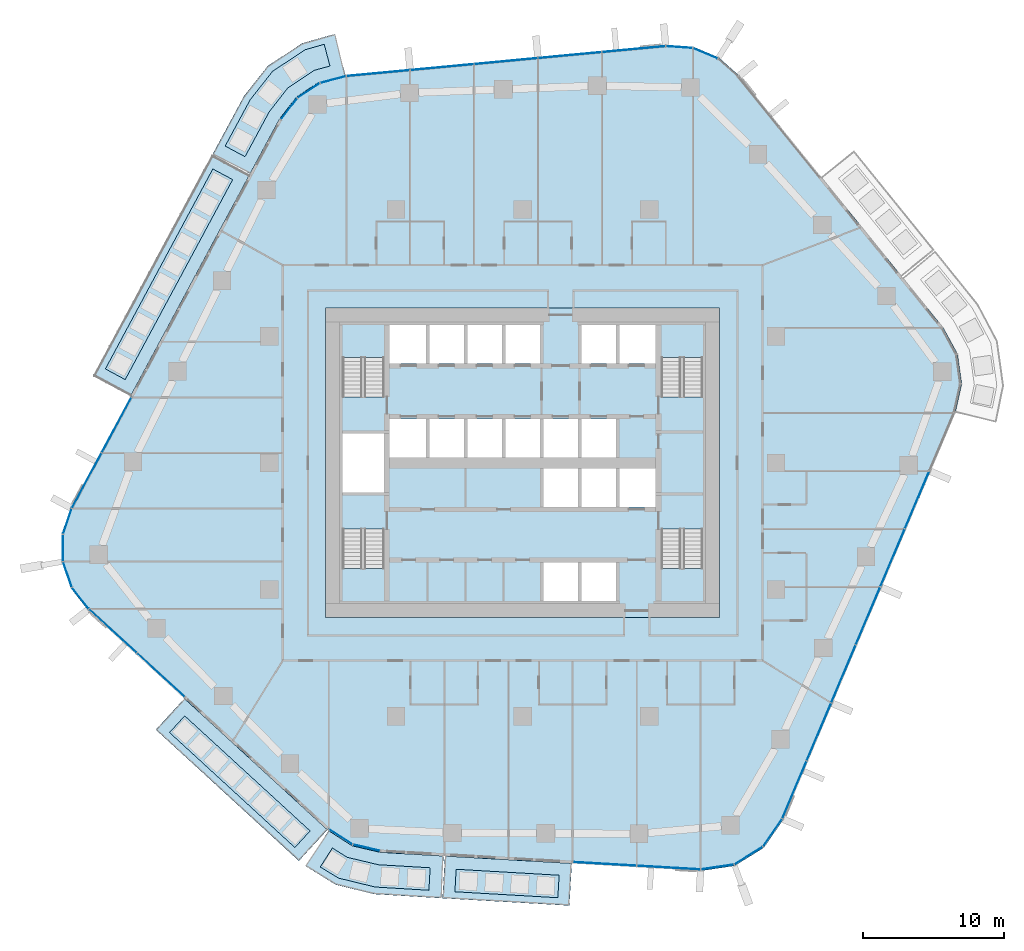
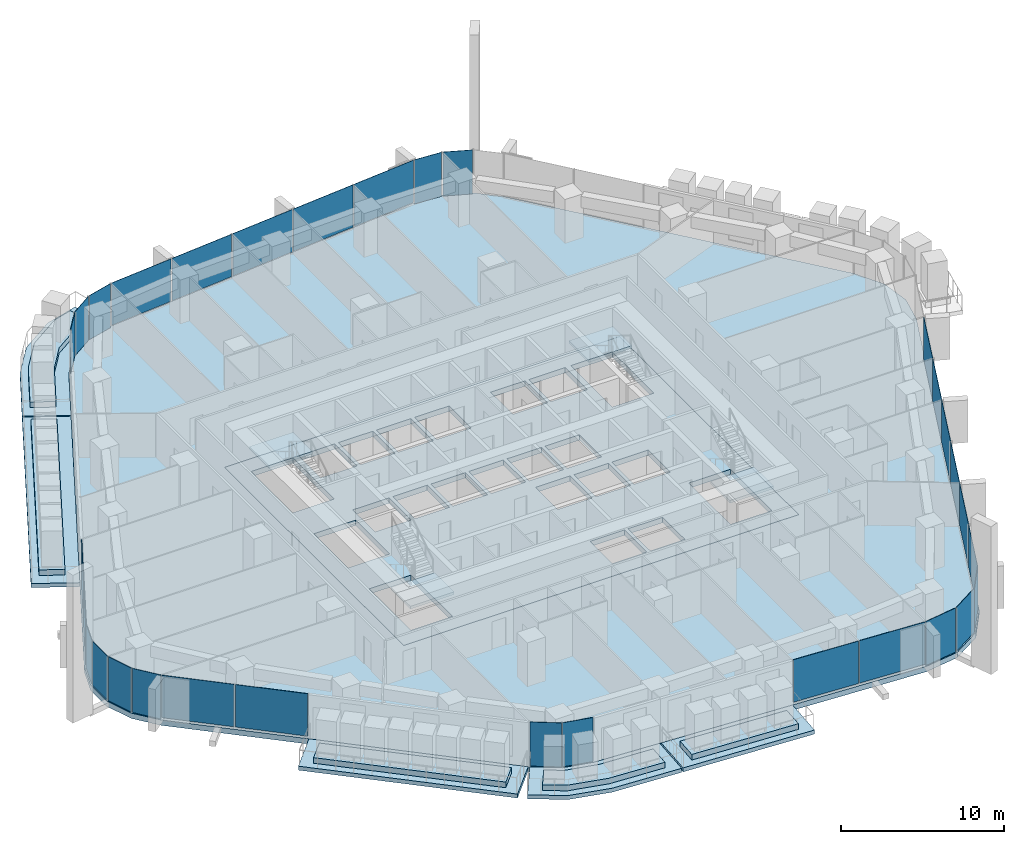
# One storey, part 10 of 24: 31 plates, 16 slabs, 14 elements without a shape of their own.
"""IFC4 building model written with IfcOpenShell, lengths in metres."""

from ifc_helpers import new_model, si_unit, direction, frame, origin, origin_2d, place, context, subcontext, project, spatial, polyline, rectangle, outline, extrude, material, layer, layer_set, type_object, element, aggregate, save


model = new_model("IFC4")

# Units and contexts
model_context = context("Model", 3, precision=1e-05, world=origin(), true_north=direction((0.0, 1.0)))
body_context = subcontext(model_context, "Body", "Model", "MODEL_VIEW")
ifc_project = project(units=[si_unit("LENGTHUNIT", "METRE"), si_unit("AREAUNIT", "SQUARE_METRE"), si_unit("VOLUMEUNIT", "CUBIC_METRE"), si_unit("PLANEANGLEUNIT", "RADIAN"), si_unit("MASSUNIT", "GRAM", prefix="KILO")], contexts=[model_context])

# Site, building, storey
site_placement = place(None, origin())
site = spatial("IfcSite", under=ifc_project, at=site_placement, CompositionType="ELEMENT")
building_placement = place(site_placement, origin())
building = spatial("IfcBuilding", under=site, at=building_placement, Name="Dongbaek Canopy Tower", CompositionType="ELEMENT")
storey_placement = place(building_placement, frame((0.0, 0.0, 117.39990234375)))
storey = spatial("IfcBuildingStorey", under=building, at=storey_placement, Name="L25", CompositionType="ELEMENT", Elevation=117.39990234375)

# Slabs
ifc_material_1 = material(Name="Concrete C40/50", Category="concrete")
ifc_layer_1 = layer(ifc_material_1, 0.300048828125)
ifc_layer_set_1 = layer_set([ifc_layer_1], Name="Balcony slab 300")
slab_type_1 = type_object("IfcSlabType", Name="Balcony slab 300", PredefinedType="FLOOR", material=ifc_layer_set_1)
slab_1_placement = place(storey_placement, frame((0.0, 0.0, -0.2998046875)))
element("IfcSlab", 1, at=slab_1_placement, inside=storey, type_object=slab_type_1, Name="Balcony L25 2", PredefinedType="FLOOR", context=body_context, shape_type="SweptSolid", body=[
    extrude(outline(polyline([(-19.41796875, 20.454833984375), (-27.858154296875, 4.7509765625), (-30.500732421875, 6.171142578125), (-22.060546875, 21.875), (-19.41796875, 20.454833984375)])), origin(), (0.0, 0.0, 1.0), 0.2998046875),
])
slab_2_placement = place(storey_placement, frame((0.0, 0.0, -0.2998046875)))
element("IfcSlab", 2, at=slab_2_placement, inside=storey, type_object=slab_type_1, Name="Balcony L25 6", PredefinedType="FLOOR", context=body_context, shape_type="SweptSolid", body=[
    extrude(outline(polyline([(-12.59619140625, 27.5673828125), (-14.442626953125, 27.0810546875), (-16.07568359375, 25.998046875), (-17.2724609375, 24.44677734375), (-19.370849609375, 20.54296875), (-22.01318359375, 21.963134765625), (-19.789794921875, 26.078857421875), (-18.11962890625, 28.194091796875), (-15.670166015625, 29.818359375), (-13.3603515625, 30.468505859375), (-12.59619140625, 27.5673828125)])), origin(), (0.0, 0.0, 1.0), 0.2998046875),
])
slab_3_placement = place(storey_placement, frame((0.0, 0.0, -0.2998046875)))
element("IfcSlab", 3, at=slab_3_placement, inside=storey, type_object=slab_type_1, Name="Balcony L25 3", PredefinedType="FLOOR", context=body_context, shape_type="SweptSolid", body=[
    extrude(outline(polyline([(-24.036376953125, -16.743896484375), (-13.875244140625, -26.064697265625), (-15.903076171875, -28.275390625), (-26.064208984375, -18.95458984375), (-24.036376953125, -16.743896484375)])), origin(), (0.0, 0.0, 1.0), 0.2998046875),
])
slab_4_placement = place(storey_placement, frame((0.0, 0.0, -0.2998046875)))
element("IfcSlab", 4, at=slab_4_placement, inside=storey, type_object=slab_type_1, Name="Balcony L25 4", PredefinedType="FLOOR", context=body_context, shape_type="SweptSolid", body=[
    extrude(outline(polyline([(-5.52294921875, -27.933349609375), (3.489501953125, -28.45458984375), (3.316162109375, -31.44970703125), (-5.6962890625, -30.92822265625), (-5.52294921875, -27.933349609375)])), origin(), (0.0, 0.0, 1.0), 0.2998046875),
])
slab_5_placement = place(storey_placement, frame((0.0, 0.0, -0.2998046875)))
element("IfcSlab", 5, at=slab_5_placement, inside=storey, type_object=slab_type_1, Name="Balcony L25 7", PredefinedType="FLOOR", context=body_context, shape_type="SweptSolid", body=[
    extrude(outline(polyline([(-13.79638671875, -26.12548828125), (-12.119140625, -27.203125), (-10.12890625, -27.666748046875), (-5.622802734375, -27.927490234375), (-5.796142578125, -30.922607421875), (-10.5576171875, -30.635986328125), (-13.28759765625, -29.96630859375), (-15.418212890625, -28.649169921875), (-13.79638671875, -26.12548828125)])), origin(), (0.0, 0.0, 1.0), 0.2998046875),
])

# Curtain wall, plates
ifc_material_2 = material(Name="Aluminium 6063-T6 pale anodised", Category="aluminium")
ifc_layer_2 = layer(ifc_material_2, 0.199951171875)
ifc_layer_set_2 = layer_set([ifc_layer_2], Name="CW-1 unitised tower curtain wall")
curtain_wall_type = type_object("IfcCurtainWallType", Name="CW-1 unitised tower curtain wall", PredefinedType="NOTDEFINED", material=ifc_layer_set_2)
curtain_wall_1_placement = place(storey_placement, origin())
curtain_wall_1 = element("IfcCurtainWall", 6, at=curtain_wall_1_placement, inside=storey, type_object=curtain_wall_type, Name="CW-1 curtain wall K1.1", PredefinedType="NOTDEFINED")
ifc_material_3 = material(Name="Clear laminated glass", Category="glass")
ifc_layer_3 = layer(ifc_material_3, 0.028076171875)
ifc_layer_set_3 = layer_set([ifc_layer_3], Name="CW-1 glazed panel 28")
plate_type = type_object("IfcPlateType", Name="CW-1 glazed panel 28", PredefinedType="CURTAIN_PANEL", material=ifc_layer_set_3)
plate_1_placement = place(storey_placement, frame((12.978759765625, 29.1005859375, 0.0), z_axis=(0.0, 0.0, 1.0), x_axis=(-0.921720182996, 0.387855519823, 0.0)))
plate_1 = element("IfcPlate", 7, at=plate_1_placement, type_object=plate_type, Name="CW-1 panel K1.1.2.1", PredefinedType="CURTAIN_PANEL", context=body_context, shape_type="SweptSolid", body=[
    extrude(rectangle(XDim=1.841552734375, YDim=0.028076171875, at=origin_2d()), origin(), (0.0, 0.0, 1.0), 3.300048828125),
])
plate_2_placement = place(storey_placement, frame((11.126708984375, 29.542236328125, 0.0), z_axis=(0.0, 0.0, 1.0), x_axis=(-0.997522108794, 0.070353695471, 0.0)))
plate_2 = element("IfcPlate", 8, at=plate_2_placement, type_object=plate_type, Name="CW-1 panel K1.1.3.1", PredefinedType="CURTAIN_PANEL", context=body_context, shape_type="SweptSolid", body=[
    extrude(rectangle(XDim=1.849853515625, YDim=0.028076171875, at=origin_2d()), origin(), (0.0, 0.0, 1.0), 3.300048828125),
])
aggregate(curtain_wall_1, [plate_1, plate_2])

curtain_wall_2_placement = place(storey_placement, origin())
curtain_wall_2 = element("IfcCurtainWall", 9, at=curtain_wall_2_placement, inside=storey, type_object=curtain_wall_type, Name="CW-1 curtain wall F1.1", PredefinedType="NOTDEFINED")
plate_3_placement = place(storey_placement, frame((7.8955078125, 29.3974609375, 0.1201171875), z_axis=(0.0, 0.0, 1.0), x_axis=(-0.995628871634, -0.093397804951, 0.0)))
plate_3 = element("IfcPlate", 10, at=plate_3_placement, type_object=plate_type, Name="CW-1 panel F1.1.1.1", PredefinedType="CURTAIN_PANEL", context=body_context, shape_type="SweptSolid", body=[
    extrude(rectangle(XDim=4.469482421875, YDim=0.028076171875, at=origin_2d()), origin(), (0.0, 0.0, 1.0), 3.179931640625),
])
plate_4_placement = place(storey_placement, frame((3.35791015625, 28.971923828125, 0.1201171875), z_axis=(0.0, 0.0, 1.0), x_axis=(-0.995628871634, -0.093397804951, 0.0)))
plate_4 = element("IfcPlate", 11, at=plate_4_placement, type_object=plate_type, Name="CW-1 panel F1.1.2.1", PredefinedType="CURTAIN_PANEL", context=body_context, shape_type="SweptSolid", body=[
    extrude(rectangle(XDim=4.477783203125, YDim=0.028076171875, at=origin_2d()), origin(), (0.0, 0.0, 1.0), 3.179931640625),
])
plate_5_placement = place(storey_placement, frame((-1.18408203125, 28.545654296875, 0.1201171875), z_axis=(0.0, 0.0, 1.0), x_axis=(-0.995628871634, -0.093397804951, 0.0)))
plate_5 = element("IfcPlate", 12, at=plate_5_placement, type_object=plate_type, Name="CW-1 panel F1.1.3.1", PredefinedType="CURTAIN_PANEL", context=body_context, shape_type="SweptSolid", body=[
    extrude(rectangle(XDim=4.477783203125, YDim=0.028076171875, at=origin_2d()), origin(), (0.0, 0.0, 1.0), 3.179931640625),
])
plate_6_placement = place(storey_placement, frame((-5.725830078125, 28.11962890625, 0.1201171875), z_axis=(0.0, 0.0, 1.0), x_axis=(-0.995628871634, -0.093397804951, 0.0)))
plate_6 = element("IfcPlate", 13, at=plate_6_placement, type_object=plate_type, Name="CW-1 panel F1.1.4.1", PredefinedType="CURTAIN_PANEL", context=body_context, shape_type="SweptSolid", body=[
    extrude(rectangle(XDim=4.477783203125, YDim=0.028076171875, at=origin_2d()), origin(), (0.0, 0.0, 1.0), 3.179931640625),
])
plate_7_placement = place(storey_placement, frame((-10.263671875, 27.694091796875, 0.1201171875), z_axis=(0.0, 0.0, 1.0), x_axis=(-0.995628871634, -0.093397804951, 0.0)))
plate_7 = element("IfcPlate", 14, at=plate_7_placement, type_object=plate_type, Name="CW-1 panel F1.1.5.1", PredefinedType="CURTAIN_PANEL", context=body_context, shape_type="SweptSolid", body=[
    extrude(rectangle(XDim=4.469482421875, YDim=0.028076171875, at=origin_2d()), origin(), (0.0, 0.0, 1.0), 3.179931640625),
])
aggregate(curtain_wall_2, [plate_3, plate_4, plate_5, plate_6, plate_7])

curtain_wall_3_placement = place(storey_placement, origin())
curtain_wall_3 = element("IfcCurtainWall", 15, at=curtain_wall_3_placement, inside=storey, type_object=curtain_wall_type, Name="CW-1 curtain wall K2.1", PredefinedType="NOTDEFINED")
plate_8_placement = place(storey_placement, frame((-13.4658203125, 27.235107421875, 0.0), z_axis=(0.0, 0.0, 1.0), x_axis=(-0.967016491994, -0.254713769182, 0.0)))
plate_8 = element("IfcPlate", 16, at=plate_8_placement, type_object=plate_type, Name="CW-1 panel K2.1.1.1", PredefinedType="CURTAIN_PANEL", context=body_context, shape_type="SweptSolid", body=[
    extrude(rectangle(XDim=1.8505859375, YDim=0.028076171875, at=origin_2d()), origin(), (0.0, 0.0, 1.0), 3.300048828125),
])
plate_9_placement = place(storey_placement, frame((-15.203857421875, 26.456298828125, 0.0), z_axis=(0.0, 0.0, 1.0), x_axis=(-0.833387890824, -0.552688541068, 0.0)))
plate_9 = element("IfcPlate", 17, at=plate_9_placement, type_object=plate_type, Name="CW-1 panel K2.1.2.1", PredefinedType="CURTAIN_PANEL", context=body_context, shape_type="SweptSolid", body=[
    extrude(rectangle(XDim=1.84228515625, YDim=0.028076171875, at=origin_2d()), origin(), (0.0, 0.0, 1.0), 3.300048828125),
])
plate_10_placement = place(storey_placement, frame((-16.597412109375, 25.158203125, 0.0), z_axis=(0.0, 0.0, 1.0), x_axis=(-0.610882164883, -0.791721529724, 0.0)))
plate_10 = element("IfcPlate", 18, at=plate_10_placement, type_object=plate_type, Name="CW-1 panel K2.1.3.1", PredefinedType="CURTAIN_PANEL", context=body_context, shape_type="SweptSolid", body=[
    extrude(rectangle(XDim=1.8505859375, YDim=0.028076171875, at=origin_2d()), origin(), (0.0, 0.0, 1.0), 3.300048828125),
])
aggregate(curtain_wall_3, [plate_8, plate_9, plate_10])

curtain_wall_4_placement = place(storey_placement, origin())
curtain_wall_4 = element("IfcCurtainWall", 19, at=curtain_wall_4_placement, inside=storey, type_object=curtain_wall_type, Name="CW-1 curtain wall F2.1", PredefinedType="NOTDEFINED")
plate_11_placement = place(storey_placement, frame((-28.854736328125, 2.685546875, 0.1201171875), z_axis=(0.0, 0.0, 1.0), x_axis=(-0.473408868372, -0.880842802858, 0.0)))
plate_11 = element("IfcPlate", 20, at=plate_11_placement, type_object=plate_type, Name="CW-1 panel F2.1.1.1", PredefinedType="CURTAIN_PANEL", context=body_context, shape_type="SweptSolid", body=[
    extrude(rectangle(XDim=4.39794921875, YDim=0.028076171875, at=origin_2d()), origin(), (0.0, 0.0, 1.0), 3.179931640625),
])
plate_12_placement = place(storey_placement, frame((-30.974609375, -1.2587890625, 0.1201171875), z_axis=(0.0, 0.0, 1.0), x_axis=(-0.473408868372, -0.880842802858, 0.0)))
plate_12 = element("IfcPlate", 21, at=plate_12_placement, type_object=plate_type, Name="CW-1 panel F2.1.2.1", PredefinedType="CURTAIN_PANEL", context=body_context, shape_type="SweptSolid", body=[
    extrude(rectangle(XDim=4.389892578125, YDim=0.028076171875, at=origin_2d()), origin(), (0.0, 0.0, 1.0), 3.179931640625),
])
aggregate(curtain_wall_4, [plate_11, plate_12])

curtain_wall_5_placement = place(storey_placement, origin())
curtain_wall_5 = element("IfcCurtainWall", 22, at=curtain_wall_5_placement, inside=storey, type_object=curtain_wall_type, Name="CW-1 curtain wall K3.1", PredefinedType="NOTDEFINED")
plate_13_placement = place(storey_placement, frame((-32.347412109375, -4.1513671875, 0.0), z_axis=(0.0, 0.0, 1.0), x_axis=(-0.322102411713, -0.946704830646, 0.0)))
plate_13 = element("IfcPlate", 23, at=plate_13_placement, type_object=plate_type, Name="CW-1 panel K3.1.1.1", PredefinedType="CURTAIN_PANEL", context=body_context, shape_type="SweptSolid", body=[
    extrude(rectangle(XDim=1.864501953125, YDim=0.028076171875, at=origin_2d()), origin(), (0.0, 0.0, 1.0), 3.300048828125),
])
plate_14_placement = place(storey_placement, frame((-32.65869140625, -6.0439453125, 0.0), z_axis=(0.0, 0.0, 1.0), x_axis=(0.002465299331, -0.999996961145, 0.0)))
plate_14 = element("IfcPlate", 24, at=plate_14_placement, type_object=plate_type, Name="CW-1 panel K3.1.2.1", PredefinedType="CURTAIN_PANEL", context=body_context, shape_type="SweptSolid", body=[
    extrude(rectangle(XDim=1.856201171875, YDim=0.028076171875, at=origin_2d()), origin(), (0.0, 0.0, 1.0), 3.300048828125),
])
plate_15_placement = place(storey_placement, frame((-32.33935546875, -7.9306640625, 0.0), z_axis=(0.0, 0.0, 1.0), x_axis=(0.326766303833, -0.945105170169, 0.0)))
plate_15 = element("IfcPlate", 25, at=plate_15_placement, type_object=plate_type, Name="CW-1 panel K3.1.3.1", PredefinedType="CURTAIN_PANEL", context=body_context, shape_type="SweptSolid", body=[
    extrude(rectangle(XDim=1.856201171875, YDim=0.028076171875, at=origin_2d()), origin(), (0.0, 0.0, 1.0), 3.300048828125),
])
plate_16_placement = place(storey_placement, frame((-31.422607421875, -9.615234375, 0.0), z_axis=(0.0, 0.0, 1.0), x_axis=(0.615716340737, -0.787967884973, 0.0)))
plate_16 = element("IfcPlate", 26, at=plate_16_placement, type_object=plate_type, Name="CW-1 panel K3.1.4.1", PredefinedType="CURTAIN_PANEL", context=body_context, shape_type="SweptSolid", body=[
    extrude(rectangle(XDim=1.864501953125, YDim=0.028076171875, at=origin_2d()), origin(), (0.0, 0.0, 1.0), 3.300048828125),
])
aggregate(curtain_wall_5, [plate_13, plate_14, plate_15, plate_16])

curtain_wall_6_placement = place(storey_placement, origin())
curtain_wall_6 = element("IfcCurtainWall", 27, at=curtain_wall_6_placement, inside=storey, type_object=curtain_wall_type, Name="CW-1 curtain wall F3.1", PredefinedType="NOTDEFINED")
plate_17_placement = place(storey_placement, frame((-29.119873046875, -11.94482421875, 0.1201171875), z_axis=(0.0, 0.0, 1.0), x_axis=(0.73691964934, -0.675980347655, 0.0)))
plate_17 = element("IfcPlate", 28, at=plate_17_placement, type_object=plate_type, Name="CW-1 panel F3.1.1.1", PredefinedType="CURTAIN_PANEL", context=body_context, shape_type="SweptSolid", body=[
    extrude(rectangle(XDim=4.537353515625, YDim=0.028076171875, at=origin_2d()), origin(), (0.0, 0.0, 1.0), 3.179931640625),
])
plate_18_placement = place(storey_placement, frame((-25.71142578125, -15.071533203125, 0.1201171875), z_axis=(0.0, 0.0, 1.0), x_axis=(0.73691964934, -0.675980347655, 0.0)))
plate_18 = element("IfcPlate", 29, at=plate_18_placement, type_object=plate_type, Name="CW-1 panel F3.1.2.1", PredefinedType="CURTAIN_PANEL", context=body_context, shape_type="SweptSolid", body=[
    extrude(rectangle(XDim=4.54541015625, YDim=0.028076171875, at=origin_2d()), origin(), (0.0, 0.0, 1.0), 3.179931640625),
])
aggregate(curtain_wall_6, [plate_17, plate_18])

curtain_wall_7_placement = place(storey_placement, origin())
curtain_wall_7 = element("IfcCurtainWall", 30, at=curtain_wall_7_placement, inside=storey, type_object=curtain_wall_type, Name="CW-1 curtain wall K4.1", PredefinedType="NOTDEFINED")
plate_19_placement = place(storey_placement, frame((-12.928466796875, -26.564208984375, 0.0), z_axis=(0.0, 0.0, 1.0), x_axis=(0.84127065306, -0.540614176933, 0.0)))
plate_19 = element("IfcPlate", 31, at=plate_19_placement, type_object=plate_type, Name="CW-1 panel K4.1.1.1", PredefinedType="CURTAIN_PANEL", context=body_context, shape_type="SweptSolid", body=[
    extrude(rectangle(XDim=1.93359375, YDim=0.028076171875, at=origin_2d()), origin(), (0.0, 0.0, 1.0), 3.300048828125),
])
plate_20_placement = place(storey_placement, frame((-11.09716796875, -27.338623046875, 0.0), z_axis=(0.0, 0.0, 1.0), x_axis=(0.973913734887, -0.226918569092, 0.0)))
plate_20 = element("IfcPlate", 32, at=plate_20_placement, type_object=plate_type, Name="CW-1 panel K4.1.2.1", PredefinedType="CURTAIN_PANEL", context=body_context, shape_type="SweptSolid", body=[
    extrude(rectangle(XDim=1.93359375, YDim=0.028076171875, at=origin_2d()), origin(), (0.0, 0.0, 1.0), 3.300048828125),
])
aggregate(curtain_wall_7, [plate_19, plate_20])

curtain_wall_8_placement = place(storey_placement, origin())
curtain_wall_8 = element("IfcCurtainWall", 33, at=curtain_wall_8_placement, inside=storey, type_object=curtain_wall_type, Name="CW-1 curtain wall F4.1", PredefinedType="NOTDEFINED")
plate_21_placement = place(storey_placement, frame((5.8232421875, -28.489501953125, 0.1201171875), z_axis=(0.0, 0.0, 1.0), x_axis=(0.998330893109, -0.057753163239, 0.0)))
plate_21 = element("IfcPlate", 34, at=plate_21_placement, type_object=plate_type, Name="CW-1 panel F4.1.1.1", PredefinedType="CURTAIN_PANEL", context=body_context, shape_type="SweptSolid", body=[
    extrude(rectangle(XDim=4.479736328125, YDim=0.028076171875, at=origin_2d()), origin(), (0.0, 0.0, 1.0), 3.179931640625),
])
plate_22_placement = place(storey_placement, frame((10.374267578125, -28.752685546875, 0.1201171875), z_axis=(0.0, 0.0, 1.0), x_axis=(0.998330893109, -0.057753163239, 0.0)))
plate_22 = element("IfcPlate", 35, at=plate_22_placement, type_object=plate_type, Name="CW-1 panel F4.1.2.1", PredefinedType="CURTAIN_PANEL", context=body_context, shape_type="SweptSolid", body=[
    extrude(rectangle(XDim=4.469482421875, YDim=0.028076171875, at=origin_2d()), origin(), (0.0, 0.0, 1.0), 3.179931640625),
])
aggregate(curtain_wall_8, [plate_21, plate_22])

curtain_wall_9_placement = place(storey_placement, origin())
curtain_wall_9 = element("IfcCurtainWall", 36, at=curtain_wall_9_placement, inside=storey, type_object=curtain_wall_type, Name="CW-1 curtain wall K5.1", PredefinedType="NOTDEFINED")
plate_23_placement = place(storey_placement, frame((13.83837890625, -28.7080078125, 0.0), z_axis=(0.0, 0.0, 1.0), x_axis=(0.989224591579, 0.146405967824, 0.0)))
plate_23 = element("IfcPlate", 37, at=plate_23_placement, type_object=plate_type, Name="CW-1 panel K5.1.1.1", PredefinedType="CURTAIN_PANEL", context=body_context, shape_type="SweptSolid", body=[
    extrude(rectangle(XDim=2.324462890625, YDim=0.028076171875, at=origin_2d()), origin(), (0.0, 0.0, 1.0), 3.300048828125),
])
plate_24_placement = place(storey_placement, frame((16.0478515625, -27.8984375, 0.0), z_axis=(0.0, 0.0, 1.0), x_axis=(0.849176171433, 0.528109675987, 0.0)))
plate_24 = element("IfcPlate", 38, at=plate_24_placement, type_object=plate_type, Name="CW-1 panel K5.1.2.1", PredefinedType="CURTAIN_PANEL", context=body_context, shape_type="SweptSolid", body=[
    extrude(rectangle(XDim=2.31396484375, YDim=0.028076171875, at=origin_2d()), origin(), (0.0, 0.0, 1.0), 3.300048828125),
])
plate_25_placement = place(storey_placement, frame((17.7509765625, -26.274658203125, 0.0), z_axis=(0.0, 0.0, 1.0), x_axis=(0.568749350767, 0.822510897194, 0.0)))
plate_25 = element("IfcPlate", 39, at=plate_25_placement, type_object=plate_type, Name="CW-1 panel K5.1.3.1", PredefinedType="CURTAIN_PANEL", context=body_context, shape_type="SweptSolid", body=[
    extrude(rectangle(XDim=2.324462890625, YDim=0.028076171875, at=origin_2d()), origin(), (0.0, 0.0, 1.0), 3.300048828125),
])
aggregate(curtain_wall_9, [plate_23, plate_24, plate_25])

curtain_wall_10_placement = place(storey_placement, origin())
curtain_wall_10 = element("IfcCurtainWall", 40, at=curtain_wall_10_placement, inside=storey, type_object=curtain_wall_type, Name="CW-1 curtain wall F5.1", PredefinedType="NOTDEFINED")
plate_26_placement = place(storey_placement, frame((19.3056640625, -23.228515625, 0.1201171875), z_axis=(0.0, 0.0, 1.0), x_axis=(0.389662506836, 0.920957724744, 0.0)))
plate_26 = element("IfcPlate", 41, at=plate_26_placement, type_object=plate_type, Name="CW-1 panel F5.1.1.1", PredefinedType="CURTAIN_PANEL", context=body_context, shape_type="SweptSolid", body=[
    extrude(rectangle(XDim=4.38037109375, YDim=0.028076171875, at=origin_2d()), origin(), (0.0, 0.0, 1.0), 3.179931640625),
])
plate_27_placement = place(storey_placement, frame((21.04736328125, -19.1123046875, 0.1201171875), z_axis=(0.0, 0.0, 1.0), x_axis=(0.389662506836, 0.920957724744, 0.0)))
plate_27 = element("IfcPlate", 42, at=plate_27_placement, type_object=plate_type, Name="CW-1 panel F5.1.2.1", PredefinedType="CURTAIN_PANEL", context=body_context, shape_type="SweptSolid", body=[
    extrude(rectangle(XDim=4.390625, YDim=0.028076171875, at=origin_2d()), origin(), (0.0, 0.0, 1.0), 3.179931640625),
])
plate_28_placement = place(storey_placement, frame((22.791015625, -14.9912109375, 0.1201171875), z_axis=(0.0, 0.0, 1.0), x_axis=(0.389662506836, 0.920957724744, 0.0)))
plate_28 = element("IfcPlate", 43, at=plate_28_placement, type_object=plate_type, Name="CW-1 panel F5.1.3.1", PredefinedType="CURTAIN_PANEL", context=body_context, shape_type="SweptSolid", body=[
    extrude(rectangle(XDim=4.390625, YDim=0.028076171875, at=origin_2d()), origin(), (0.0, 0.0, 1.0), 3.179931640625),
])
plate_29_placement = place(storey_placement, frame((24.534423828125, -10.870361328125, 0.1201171875), z_axis=(0.0, 0.0, 1.0), x_axis=(0.389662506836, 0.920957724744, 0.0)))
plate_29 = element("IfcPlate", 44, at=plate_29_placement, type_object=plate_type, Name="CW-1 panel F5.1.4.1", PredefinedType="CURTAIN_PANEL", context=body_context, shape_type="SweptSolid", body=[
    extrude(rectangle(XDim=4.390625, YDim=0.028076171875, at=origin_2d()), origin(), (0.0, 0.0, 1.0), 3.179931640625),
])
plate_30_placement = place(storey_placement, frame((26.278076171875, -6.749267578125, 0.1201171875), z_axis=(0.0, 0.0, 1.0), x_axis=(0.389662506836, 0.920957724744, 0.0)))
plate_30 = element("IfcPlate", 45, at=plate_30_placement, type_object=plate_type, Name="CW-1 panel F5.1.5.1", PredefinedType="CURTAIN_PANEL", context=body_context, shape_type="SweptSolid", body=[
    extrude(rectangle(XDim=4.390625, YDim=0.028076171875, at=origin_2d()), origin(), (0.0, 0.0, 1.0), 3.179931640625),
])
plate_31_placement = place(storey_placement, frame((28.021728515625, -2.62841796875, 0.1201171875), z_axis=(0.0, 0.0, 1.0), x_axis=(0.389662506836, 0.920957724744, 0.0)))
plate_31 = element("IfcPlate", 46, at=plate_31_placement, type_object=plate_type, Name="CW-1 panel F5.1.6.1", PredefinedType="CURTAIN_PANEL", context=body_context, shape_type="SweptSolid", body=[
    extrude(rectangle(XDim=4.390625, YDim=0.028076171875, at=origin_2d()), origin(), (0.0, 0.0, 1.0), 3.179931640625),
])
aggregate(curtain_wall_10, [plate_26, plate_27, plate_28, plate_29, plate_30, plate_31])

# Slab
ifc_material_4 = material(Name="Concrete C40/50", Category="concrete")
ifc_layer_4 = layer(ifc_material_4, 0.39990234375)
ifc_layer_set_4 = layer_set([ifc_layer_4], Name="Core floor slab 400 Concrete C40/50")
slab_type_2 = type_object("IfcSlabType", Name="Core floor slab 400 Concrete C40/50", PredefinedType="FLOOR", material=ifc_layer_set_4)
slab_6_placement = place(storey_placement, frame((0.0, 0.0, -0.39990234375)))
element("IfcSlab", 47, at=slab_6_placement, inside=storey, type_object=slab_type_2, Name="Core floor slab L25", PredefinedType="FLOOR", context=body_context, shape_type="SweptSolid", body=[
    extrude(outline(polyline([(14.0, -11.0), (14.0, 11.0), (-14.0, 11.0), (-14.0, -11.0), (14.0, -11.0)]), holes=[polyline([(-12.800048828125, 2.10009765625), (-9.85009765625, 2.10009765625), (-9.85009765625, -2.10009765625), (-12.800048828125, -2.10009765625), (-12.800048828125, 2.10009765625)]), polyline([(-6.875, 9.800048828125), (-6.875, 7.074951171875), (-9.449951171875, 7.074951171875), (-9.449951171875, 9.800048828125), (-6.875, 9.800048828125)]), polyline([(-4.175048828125, 9.800048828125), (-4.175048828125, 7.074951171875), (-6.625, 7.074951171875), (-6.625, 9.800048828125), (-4.175048828125, 9.800048828125)]), polyline([(-1.47509765625, 9.800048828125), (-1.47509765625, 7.074951171875), (-3.925048828125, 7.074951171875), (-3.925048828125, 9.800048828125), (-1.47509765625, 9.800048828125)]), polyline([(1.22509765625, 9.800048828125), (1.22509765625, 7.074951171875), (-1.22509765625, 7.074951171875), (-1.22509765625, 9.800048828125), (1.22509765625, 9.800048828125)]), polyline([(6.625, 9.800048828125), (6.625, 7.074951171875), (4.175048828125, 7.074951171875), (4.175048828125, 9.800048828125), (6.625, 9.800048828125)]), polyline([(9.449951171875, 7.074951171875), (6.875, 7.074951171875), (6.875, 9.800048828125), (9.449951171875, 9.800048828125), (9.449951171875, 7.074951171875)]), polyline([(-9.449951171875, 3.125), (-6.875, 3.125), (-6.875, 0.39990234375), (-9.449951171875, 0.39990234375), (-9.449951171875, 3.125)]), polyline([(-6.625, 3.125), (-4.175048828125, 3.125), (-4.175048828125, 0.39990234375), (-6.625, 0.39990234375), (-6.625, 3.125)]), polyline([(-3.925048828125, 3.125), (-1.47509765625, 3.125), (-1.47509765625, 0.39990234375), (-3.925048828125, 0.39990234375), (-3.925048828125, 3.125)]), polyline([(-1.22509765625, 0.39990234375), (-1.22509765625, 3.125), (1.22509765625, 3.125), (1.22509765625, 0.39990234375), (-1.22509765625, 0.39990234375)]), polyline([(3.925048828125, 3.125), (3.925048828125, 0.39990234375), (1.47509765625, 0.39990234375), (1.47509765625, 3.125), (3.925048828125, 3.125)]), polyline([(4.175048828125, 3.125), (6.625, 3.125), (6.625, 0.39990234375), (4.175048828125, 0.39990234375), (4.175048828125, 3.125)]), polyline([(1.47509765625, -0.39990234375), (3.925048828125, -0.39990234375), (3.925048828125, -3.125), (1.47509765625, -3.125), (1.47509765625, -0.39990234375)]), polyline([(4.175048828125, -3.125), (4.175048828125, -0.39990234375), (6.625, -0.39990234375), (6.625, -3.125), (4.175048828125, -3.125)]), polyline([(9.449951171875, -3.125), (6.875, -3.125), (6.875, -0.39990234375), (9.449951171875, -0.39990234375), (9.449951171875, -3.125)]), polyline([(1.47509765625, -9.800048828125), (1.47509765625, -7.074951171875), (3.925048828125, -7.074951171875), (3.925048828125, -9.800048828125), (1.47509765625, -9.800048828125)]), polyline([(4.175048828125, -9.800048828125), (4.175048828125, -7.074951171875), (6.625, -7.074951171875), (6.625, -9.800048828125), (4.175048828125, -9.800048828125)]), polyline([(12.800048828125, 4.70068359375), (12.800048828125, 9.800048828125), (9.85009765625, 9.800048828125), (9.85009765625, 4.70068359375), (12.800048828125, 4.70068359375)]), polyline([(-9.85009765625, 4.70068359375), (-9.85009765625, 9.800048828125), (-12.800048828125, 9.800048828125), (-12.800048828125, 4.70068359375), (-9.85009765625, 4.70068359375)]), polyline([(9.85009765625, -4.70068359375), (9.85009765625, -9.800048828125), (12.800048828125, -9.800048828125), (12.800048828125, -4.70068359375), (9.85009765625, -4.70068359375)]), polyline([(-12.800048828125, -4.70068359375), (-12.800048828125, -9.800048828125), (-9.85009765625, -9.800048828125), (-9.85009765625, -4.70068359375), (-12.800048828125, -4.70068359375)])]), origin(), (0.0, 0.0, 1.0), 0.39990234375),
])

# Stair, slab
ifc_material_5 = material(Name="Concrete C40/50", Category="concrete")
stair_type = type_object("IfcStairType", Name="Core exit stair", PredefinedType="HALF_TURN_STAIR", material=ifc_material_5)
stair_1_placement = place(storey_placement, origin())
stair_1 = element("IfcStair", 48, at=stair_1_placement, inside=storey, type_object=stair_type, Name="L25 exit stair A", PredefinedType="HALF_TURN_STAIR")
ifc_material_6 = material(Name="Concrete C40/50", Category="concrete")
ifc_layer_5 = layer(ifc_material_6, 0.199951171875)
ifc_layer_set_5 = layer_set([ifc_layer_5], Name="Core stair landing 200")
slab_type_3 = type_object("IfcSlabType", Name="Core stair landing 200", PredefinedType="LANDING", material=ifc_layer_set_5)
slab_7_placement = place(storey_placement, frame((0.0, 0.0, 1.650146484375)))
slab_7 = element("IfcSlab", 49, at=slab_7_placement, type_object=slab_type_3, Name="ST-A landing 1", PredefinedType="LANDING", context=body_context, shape_type="SweptSolid", body=[
    extrude(outline(polyline([(12.875, 7.5), (12.875, 9.875), (9.77490234375, 9.875), (9.77490234375, 7.5), (12.875, 7.5)])), origin(), (0.0, 0.0, 1.0), 0.199951171875),
])
aggregate(stair_1, [slab_7])

stair_2_placement = place(storey_placement, origin())
stair_2 = element("IfcStair", 50, at=stair_2_placement, inside=storey, type_object=stair_type, Name="L25 exit stair C", PredefinedType="HALF_TURN_STAIR")
slab_8_placement = place(storey_placement, frame((0.0, 0.0, 1.650146484375)))
slab_8 = element("IfcSlab", 51, at=slab_8_placement, type_object=slab_type_3, Name="ST-C landing 1", PredefinedType="LANDING", context=body_context, shape_type="SweptSolid", body=[
    extrude(outline(polyline([(-9.77490234375, 7.5), (-9.77490234375, 9.875), (-12.875, 9.875), (-12.875, 7.5), (-9.77490234375, 7.5)])), origin(), (0.0, 0.0, 1.0), 0.199951171875),
])
aggregate(stair_2, [slab_8])

stair_3_placement = place(storey_placement, origin())
stair_3 = element("IfcStair", 52, at=stair_3_placement, inside=storey, type_object=stair_type, Name="L25 exit stair B", PredefinedType="HALF_TURN_STAIR")
slab_9_placement = place(storey_placement, frame((0.0, 0.0, 1.650146484375)))
slab_9 = element("IfcSlab", 53, at=slab_9_placement, type_object=slab_type_3, Name="ST-B landing 1", PredefinedType="LANDING", context=body_context, shape_type="SweptSolid", body=[
    extrude(outline(polyline([(9.77490234375, -7.5), (9.77490234375, -9.875), (12.875, -9.875), (12.875, -7.5), (9.77490234375, -7.5)])), origin(), (0.0, 0.0, 1.0), 0.199951171875),
])
aggregate(stair_3, [slab_9])

stair_4_placement = place(storey_placement, origin())
stair_4 = element("IfcStair", 54, at=stair_4_placement, inside=storey, type_object=stair_type, Name="L25 exit stair D", PredefinedType="HALF_TURN_STAIR")
slab_10_placement = place(storey_placement, frame((0.0, 0.0, 1.650146484375)))
slab_10 = element("IfcSlab", 55, at=slab_10_placement, type_object=slab_type_3, Name="ST-D landing 1", PredefinedType="LANDING", context=body_context, shape_type="SweptSolid", body=[
    extrude(outline(polyline([(-12.875, -7.5), (-12.875, -9.875), (-9.77490234375, -9.875), (-9.77490234375, -7.5), (-12.875, -7.5)])), origin(), (0.0, 0.0, 1.0), 0.199951171875),
])
aggregate(stair_4, [slab_10])

# Slabs
ifc_material_7 = material(Name="Concrete C40", Category="concrete")
ifc_layer_6 = layer(ifc_material_7, 0.39990234375)
ifc_layer_set_6 = layer_set([ifc_layer_6], Name="RC FLAT PLATE 400 Concrete C40")
slab_type_4 = type_object("IfcSlabType", Name="RC FLAT PLATE 400 Concrete C40", PredefinedType="FLOOR", material=ifc_layer_set_6)
slab_11_placement = place(storey_placement, frame((0.0, 0.0, -0.39990234375)))
element("IfcSlab", 56, at=slab_11_placement, inside=storey, type_object=slab_type_4, Name="SLAB:L25", PredefinedType="FLOOR", context=body_context, shape_type="SweptSolid", body=[
    extrude(outline(polyline([(18.52392578125, -25.332763671875), (17.136474609375, -27.339111328125), (15.06494140625, -28.627685546875), (12.651611328125, -28.984619140625), (-10.12890625, -27.6669921875), (-12.119140625, -27.203125), (-13.83837890625, -26.098388671875), (-30.896240234375, -10.451171875), (-32.111328125, -8.89599609375), (-32.75634765625, -7.031005859375), (-32.76123046875, -5.057373046875), (-32.12548828125, -3.189208984375), (-17.272705078125, 24.447021484375), (-16.07568359375, 25.998291015625), (-14.442626953125, 27.0810546875), (-12.5478515625, 27.580078125), (10.1611328125, 29.71044921875), (12.114990234375, 29.57275390625), (13.920166015625, 28.81298828125), (15.384521484375, 27.512451171875), (29.866455078125, 9.6279296875), (30.898193359375, 7.741455078125), (31.19873046875, 5.6123046875), (30.729248046875, 3.51416015625), (18.52392578125, -25.332763671875)]), holes=[polyline([(14.0, 11.0), (-14.0, 11.0), (-14.0, -11.0), (14.0, -11.0), (14.0, 11.0)])]), origin(), (0.0, 0.0, 1.0), 0.39990234375),
])
ifc_material_8 = material(Name="Reinforced concrete C40/50 planter box with soil", Category="concrete")
ifc_layer_7 = layer(ifc_material_8, 0.419921875)
ifc_layer_set_7 = layer_set([ifc_layer_7], Name="Terrace planter box 1600 x 420")
slab_type_5 = type_object("IfcSlabType", Name="Terrace planter box 1600 x 420", PredefinedType="USERDEFINED", material=ifc_layer_set_7)
slab_12_placement = place(storey_placement, origin())
element("IfcSlab", 57, at=slab_12_placement, inside=storey, type_object=slab_type_5, Name="Balcony planter L25 2", ObjectType="PLANTER", PredefinedType="USERDEFINED", context=body_context, shape_type="SweptSolid", body=[
    extrude(outline(polyline([(-20.6044921875, 20.12744140625), (-28.23974609375, 5.9208984375), (-29.64892578125, 6.678466796875), (-22.013671875, 20.885009765625), (-20.6044921875, 20.12744140625)])), origin(), (0.0, 0.0, 1.0), 0.420166015625),
])
slab_13_placement = place(storey_placement, origin())
element("IfcSlab", 58, at=slab_13_placement, inside=storey, type_object=slab_type_5, Name="Balcony planter L25 6", ObjectType="PLANTER", PredefinedType="USERDEFINED", context=body_context, shape_type="SweptSolid", body=[
    extrude(outline(polyline([(-13.693359375, 28.19873046875), (-14.806884765625, 27.89306640625), (-16.681884765625, 26.649658203125), (-18.019287109375, 24.930908203125), (-19.728515625, 21.757080078125), (-21.137939453125, 22.514404296875), (-19.36181640625, 25.80126953125), (-17.772216796875, 27.82080078125), (-15.461669921875, 29.35302734375), (-14.100830078125, 29.74609375), (-13.693359375, 28.19873046875)])), origin(), (0.0, 0.0, 1.0), 0.420166015625),
])
slab_14_placement = place(storey_placement, origin())
element("IfcSlab", 59, at=slab_14_placement, inside=storey, type_object=slab_type_5, Name="Balcony planter L25 3", ObjectType="PLANTER", PredefinedType="USERDEFINED", context=body_context, shape_type="SweptSolid", body=[
    extrude(outline(polyline([(-24.011474609375, -17.97412109375), (-15.103271484375, -26.145751953125), (-16.184814453125, -27.324951171875), (-25.093017578125, -19.1533203125), (-24.011474609375, -17.97412109375)])), origin(), (0.0, 0.0, 1.0), 0.420166015625),
])
slab_15_placement = place(storey_placement, origin())
element("IfcSlab", 60, at=slab_15_placement, inside=storey, type_object=slab_type_5, Name="Balcony planter L25 4", ObjectType="PLANTER", PredefinedType="USERDEFINED", context=body_context, shape_type="SweptSolid", body=[
    extrude(outline(polyline([(-4.725830078125, -28.870849609375), (2.589599609375, -29.294189453125), (2.4970703125, -30.891357421875), (-4.818115234375, -30.46826171875), (-4.725830078125, -28.870849609375)])), origin(), (0.0, 0.0, 1.0), 0.420166015625),
])
slab_16_placement = place(storey_placement, origin())
element("IfcSlab", 61, at=slab_16_placement, inside=storey, type_object=slab_type_5, Name="Balcony planter L25 7", ObjectType="PLANTER", PredefinedType="USERDEFINED", context=body_context, shape_type="SweptSolid", body=[
    extrude(outline(polyline([(-13.520263671875, -27.360595703125), (-12.4658203125, -28.02294921875), (-10.256103515625, -28.547607421875), (-6.57275390625, -28.76416015625), (-6.6650390625, -30.361328125), (-10.48486328125, -30.13134765625), (-13.0888671875, -29.49658203125), (-14.38525390625, -28.706787109375), (-13.520263671875, -27.360595703125)])), origin(), (0.0, 0.0, 1.0), 0.420166015625),
])

save(model, "model.ifc")
